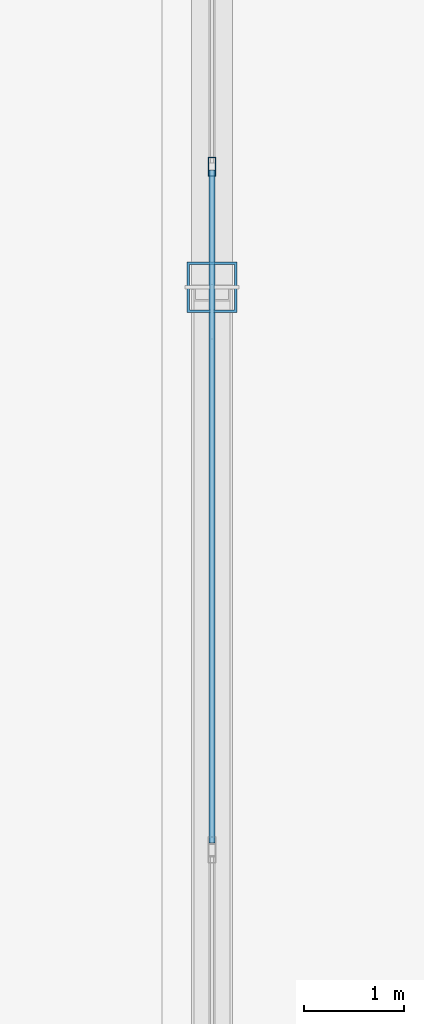
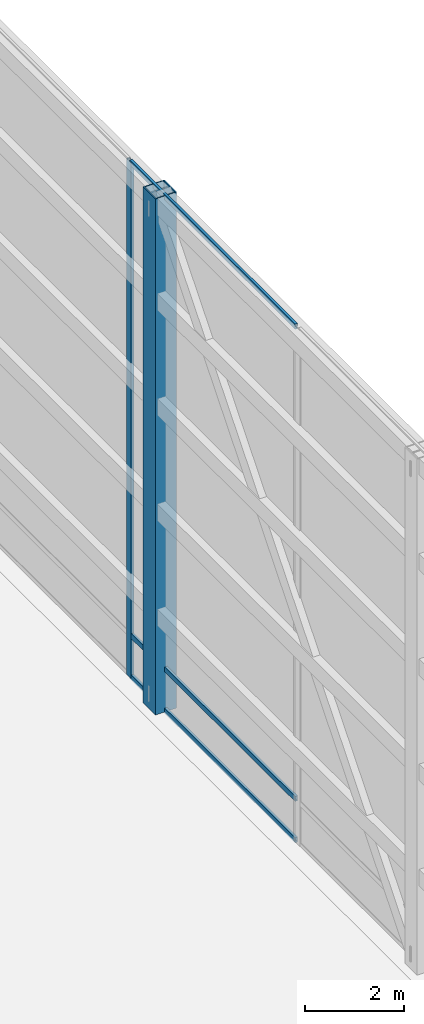
# One storey, part 17 of 23: 5 members, 1 element without a shape of its own.
"""IFC4 building model written with IfcOpenShell, lengths in metres."""

from ifc_helpers import new_model, si_unit, direction, frame, origin, origin_2d, place, context, subcontext, project, spatial, hollow_rectangle, extrude, source, transform, mapped, material, layer, layer_set, material_profile, profile_set, type_object, type_shapes, element, aggregate, save


model = new_model("IFC4")

# Units and contexts
model_context = context("Model", 3, precision=1e-05, world=origin(), true_north=direction((0.0, 1.0)))
body_context = subcontext(model_context, "Body", "Model", "MODEL_VIEW")
ifc_project = project(units=[si_unit("LENGTHUNIT", "METRE"), si_unit("AREAUNIT", "SQUARE_METRE"), si_unit("VOLUMEUNIT", "CUBIC_METRE"), si_unit("PLANEANGLEUNIT", "RADIAN"), si_unit("MASSUNIT", "GRAM", prefix="KILO")], contexts=[model_context])

# Site, building, storey
site_placement = place(None, origin())
site = spatial("IfcSite", under=ifc_project, at=site_placement, CompositionType="ELEMENT")
building_placement = place(site_placement, origin())
building = spatial("IfcBuilding", under=site, at=building_placement, Name="Varnel Quay Broadcast Tower", CompositionType="ELEMENT")
storey_placement = place(building_placement, frame((0.0, 0.0, 319.800048828125)))
storey = spatial("IfcBuildingStorey", under=building, at=storey_placement, Name="Roof", CompositionType="ELEMENT", Elevation=319.800048828125)

# Member
ifc_material_1 = material(Name="Structural Steel CSA G40.21 350WT", Category="steel")
ifc_material_profile_1 = material_profile(ifc_material_1, hollow_rectangle(XDim=0.5, YDim=0.5, WallThickness=0.02490234375, at=origin_2d()), Name="BOX500X500X25")
ifc_profile_set_1 = profile_set([ifc_material_profile_1], Name="Structural Steel CSA G40.21 350WT")
member_type_1 = type_object("IfcMemberType", Name="CrownRingPost_BOX500", PredefinedType="POST", material=ifc_profile_set_1)
shared_shape_1 = source(origin(), body_context, "Body", "SweptSolid", [
    extrude(hollow_rectangle(XDim=0.5, YDim=0.5, WallThickness=0.02490234375, at=origin_2d()), origin(), (0.0, 0.0, 1.0), 12.75),
])
type_shapes(member_type_1, [shared_shape_1])
member_1_placement = place(storey_placement, frame((52.800048828125, 35.60009765625, 0.0), z_axis=(0.0, 0.0, 1.0), x_axis=(1.0, 0.0, 0.0)))
element("IfcMember", 1, at=member_1_placement, inside=storey, type_object=member_type_1, Name="CROWN FRAME Ring Post 7", PredefinedType="POST", context=body_context, shape_type="MappedRepresentation", body=[
    mapped(shared_shape_1, transform((0.0, 0.0, 0.0), x_axis=(1.0, 0.0, 0.0), y_axis=(0.0, 1.0, 0.0), z_axis=(0.0, 0.0, 1.0), scale=1.0)),
])

# Curtain wall, members
ifc_material_2 = material(Name="Anodised Bronze Aluminium 6063-T6", Category="aluminium")
ifc_layer = layer(ifc_material_2, 0.18994140625, Name="Anodised Bronze Aluminium 6063-T6")
ifc_layer_set = layer_set([ifc_layer], Name="Anodised Bronze Aluminium 6063-T6")
curtain_wall_type = type_object("IfcCurtainWallType", Name="CW_CrownScreen", PredefinedType="NOTDEFINED", material=ifc_layer_set)
curtain_wall_placement = place(storey_placement, origin())
curtain_wall = element("IfcCurtainWall", 2, at=curtain_wall_placement, inside=storey, type_object=curtain_wall_type, Name="Ring Crown Bronze Glazed Louvre Screen E2", PredefinedType="NOTDEFINED")
ifc_material_profile_2 = material_profile(ifc_material_2, hollow_rectangle(XDim=0.070068359375, YDim=0.18994140625, WallThickness=0.00390625, at=origin_2d()), Name="ALU70X190X4")
ifc_profile_set_2 = profile_set([ifc_material_profile_2], Name="Anodised Bronze Aluminium 6063-T6")
member_type_2 = type_object("IfcMemberType", Name="Mull_CWS-06", PredefinedType="MULLION", material=ifc_profile_set_2)
shared_shape_2 = source(origin(), body_context, "Body", "SweptSolid", [
    extrude(hollow_rectangle(XDim=0.070068359375, YDim=0.18994140625, WallThickness=0.00390625, at=origin_2d()), origin(), (0.0, 0.0, 1.0), 12.75),
])
type_shapes(member_type_2, [shared_shape_2])
member_2_placement = place(storey_placement, frame((52.800048828125, 36.800048828125, 0.0), z_axis=(0.0, 0.0, 1.0), x_axis=(-1.0, 0.0, 0.0)))
member_2 = element("IfcMember", 3, at=member_2_placement, type_object=member_type_2, Name="CWS-06 mullion 2", PredefinedType="MULLION", context=body_context, shape_type="MappedRepresentation", body=[
    mapped(shared_shape_2, transform((0.0, 0.0, 0.0), x_axis=(1.0, 0.0, 0.0), y_axis=(0.0, 1.0, 0.0), z_axis=(0.0, 0.0, 1.0), scale=1.0)),
])
ifc_material_profile_3 = material_profile(ifc_material_2, hollow_rectangle(XDim=0.06005859375, YDim=0.125, WallThickness=0.0029296875, at=origin_2d()), Name="ALU60X125X3")
ifc_profile_set_3 = profile_set([ifc_material_profile_3], Name="Anodised Bronze Aluminium 6063-T6")
member_type_3 = type_object("IfcMemberType", Name="Tran_CWS-06", PredefinedType="USERDEFINED", material=ifc_profile_set_3)
shared_shape_3 = source(origin(), body_context, "Body", "SweptSolid", [
    extrude(hollow_rectangle(XDim=0.06005859375, YDim=0.125, WallThickness=0.0029296875, at=origin_2d()), origin(), (0.0, 0.0, 1.0), 6.69482421875),
])
type_shapes(member_type_3, [shared_shape_3])
member_3_placement = place(storey_placement, frame((52.800048828125, 30.070068359375, 0.030029296875), z_axis=(0.0, 1.0, 0.0), x_axis=(-1.0, 0.0, 0.0)))
member_3 = element("IfcMember", 4, at=member_3_placement, type_object=member_type_3, Name="CWS-06 transom 1.1", ObjectType="TRANSOM", PredefinedType="USERDEFINED", context=body_context, shape_type="MappedRepresentation", body=[
    mapped(shared_shape_3, transform((0.0, 0.0, 0.0), x_axis=(1.0, 0.0, 0.0), y_axis=(0.0, 1.0, 0.0), z_axis=(0.0, 0.0, 1.0), scale=1.0)),
])
member_4_placement = place(storey_placement, frame((52.800048828125, 30.070068359375, 1.050048828125), z_axis=(0.0, 1.0, 0.0), x_axis=(-1.0, 0.0, 0.0)))
member_4 = element("IfcMember", 5, at=member_4_placement, type_object=member_type_3, Name="CWS-06 transom 1.2", ObjectType="TRANSOM", PredefinedType="USERDEFINED", context=body_context, shape_type="MappedRepresentation", body=[
    mapped(shared_shape_3, transform((0.0, 0.0, 0.0), x_axis=(1.0, 0.0, 0.0), y_axis=(0.0, 1.0, 0.0), z_axis=(0.0, 0.0, 1.0), scale=1.0)),
])
member_5_placement = place(storey_placement, frame((52.800048828125, 30.070068359375, 12.719970703125), z_axis=(0.0, 1.0, 0.0), x_axis=(-1.0, 0.0, 0.0)))
member_5 = element("IfcMember", 6, at=member_5_placement, type_object=member_type_3, Name="CWS-06 transom 1.3", ObjectType="TRANSOM", PredefinedType="USERDEFINED", context=body_context, shape_type="MappedRepresentation", body=[
    mapped(shared_shape_3, transform((0.0, 0.0, 0.0), x_axis=(1.0, 0.0, 0.0), y_axis=(0.0, 1.0, 0.0), z_axis=(0.0, 0.0, 1.0), scale=1.0)),
])
aggregate(curtain_wall, [member_2, member_3, member_4, member_5])

save(model, "model.ifc")
